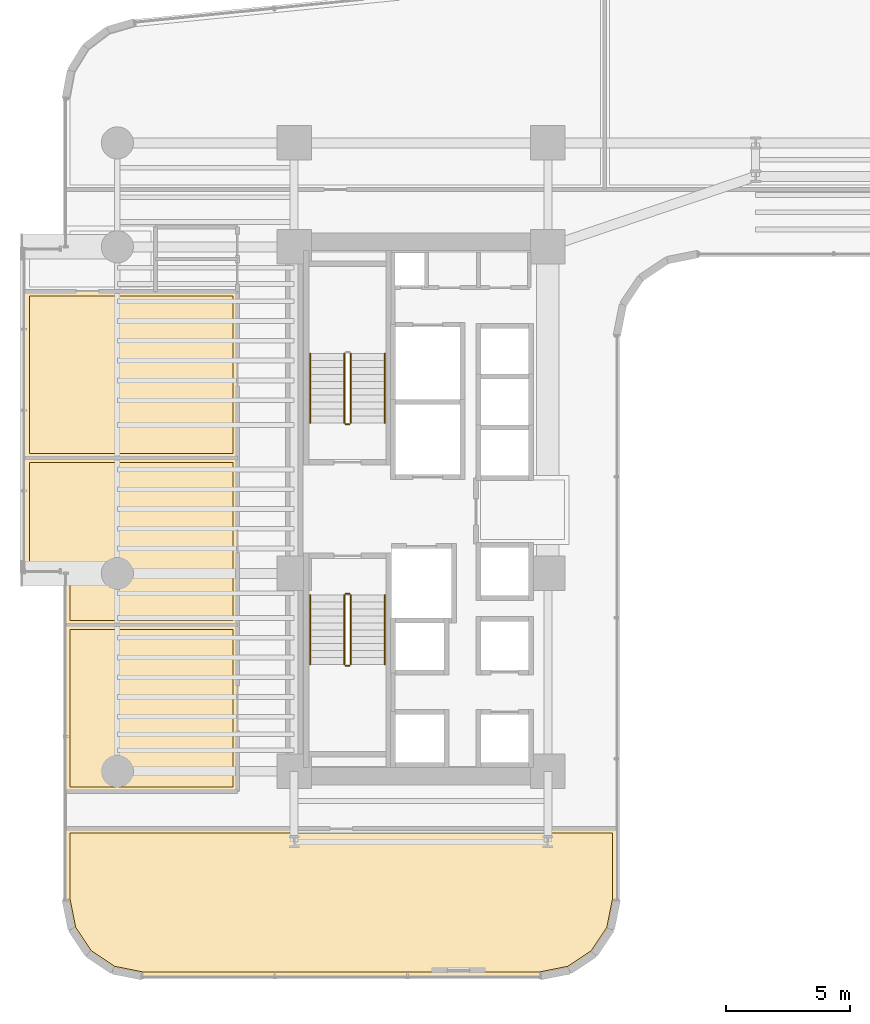
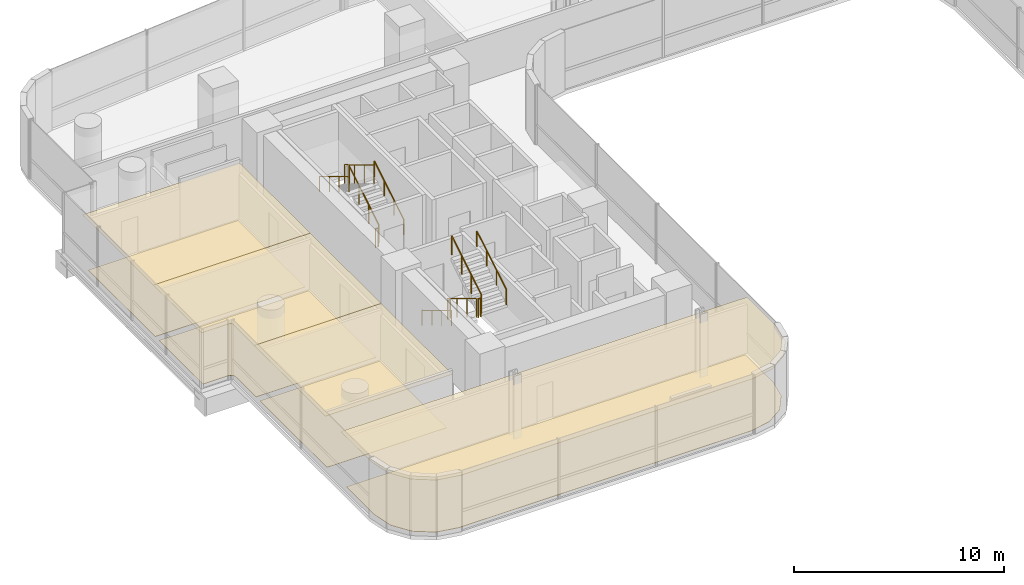
# One storey, part 35 of 39: 11 railings, 8 coverings.
"""IFC4 building model written with IfcOpenShell, lengths in metres."""

from ifc_helpers import new_model, si_unit, direction, frame, origin, origin_2d, place, context, subcontext, project, spatial, polyline, circle, outline, extrude, material, layer, layer_set, type_object, element, save


model = new_model("IFC4")

# Units and contexts
model_context = context("Model", 3, precision=1e-05, world=origin(), true_north=direction((0.0, 1.0)))
body_context = subcontext(model_context, "Body", "Model", "MODEL_VIEW")
ifc_project = project(units=[si_unit("LENGTHUNIT", "METRE"), si_unit("AREAUNIT", "SQUARE_METRE"), si_unit("VOLUMEUNIT", "CUBIC_METRE"), si_unit("PLANEANGLEUNIT", "RADIAN"), si_unit("MASSUNIT", "GRAM", prefix="KILO")], contexts=[model_context])

# Site, building, storey
site_placement = place(None, origin())
site = spatial("IfcSite", under=ifc_project, at=site_placement, CompositionType="ELEMENT")
building_placement = place(site_placement, origin())
building = spatial("IfcBuilding", under=site, at=building_placement, Name="Valdorenza Pilgrim Sanctuary Tower", CompositionType="ELEMENT")
storey_placement = place(building_placement, frame((0.0, 0.0, 70.39990234375)))
storey = spatial("IfcBuildingStorey", under=building, at=storey_placement, Name="L17", CompositionType="ELEMENT", Elevation=70.39990234375)

# Coverings
ifc_material_1 = material(Name="Micro-perforated acoustic mineral ceiling tile", Category="gypsum")
ifc_layer_1 = layer(ifc_material_1, 0.02490234375, Name="Micro-perforated acoustic mineral ceiling tile")
ifc_layer_set_1 = layer_set([ifc_layer_1], Name="Micro-perforated acoustic mineral ceiling tile")
covering_type_1 = type_object("IfcCoveringType", Name="COV-CLG-ACU", PredefinedType="CEILING", material=ifc_layer_set_1)
covering_1_placement = place(storey_placement, frame((0.0, 0.0, 3.16015625)))
element("IfcCovering", 1, at=covering_1_placement, inside=storey, type_object=covering_type_1, Name="L17 Main Pilgrim Dining Restaurant L17 Acoustic Ceiling", PredefinedType="CEILING", context=body_context, shape_type="SweptSolid", body=[
    extrude(outline(polyline([(-24.93505859375, -11.419921875), (-24.93505859375, -11.42138671875), (-24.935302734375, -11.4228515625), (-24.935546875, -11.42431640625), (-24.93603515625, -11.42578125), (-24.936767578125, -11.427001953125), (-24.9375, -11.42822265625), (-24.9384765625, -11.429443359375), (-24.939453125, -11.4306640625), (-24.9404296875, -11.431640625), (-24.941650390625, -11.4326171875), (-24.94287109375, -11.43310546875), (-24.9443359375, -11.433837890625), (-24.945556640625, -11.434326171875), (-24.947021484375, -11.434814453125), (-24.948486328125, -11.434814453125), (-24.949951171875, -11.43505859375), (-31.889892578125, -11.43505859375), (-31.8916015625, -11.434814453125), (-31.892822265625, -11.434814453125), (-31.894287109375, -11.434326171875), (-31.895751953125, -11.433837890625), (-31.897216796875, -11.43310546875), (-31.898193359375, -11.4326171875), (-31.8994140625, -11.431640625), (-31.900634765625, -11.4306640625), (-31.901611328125, -11.429443359375), (-31.902587890625, -11.42822265625), (-31.9033203125, -11.427001953125), (-31.90380859375, -11.42578125), (-31.904296875, -11.42431640625), (-31.90478515625, -11.4228515625), (-31.90478515625, -11.42138671875), (-31.905029296875, -11.419921875), (-31.905029296875, -4.679931640625), (-31.90478515625, -4.678466796875), (-31.90478515625, -4.677001953125), (-31.904296875, -4.675537109375), (-31.90380859375, -4.67431640625), (-31.9033203125, -4.6728515625), (-31.902587890625, -4.671630859375), (-31.901611328125, -4.67041015625), (-31.900634765625, -4.66943359375), (-31.8994140625, -4.66845703125), (-31.898193359375, -4.66748046875), (-31.897216796875, -4.666748046875), (-31.895751953125, -4.666015625), (-31.894287109375, -4.66552734375), (-31.892822265625, -4.665283203125), (-31.8916015625, -4.6650390625), (-31.889892578125, -4.6650390625), (-24.949951171875, -4.6650390625), (-24.948486328125, -4.6650390625), (-24.947021484375, -4.665283203125), (-24.945556640625, -4.66552734375), (-24.9443359375, -4.666015625), (-24.94287109375, -4.666748046875), (-24.941650390625, -4.66748046875), (-24.9404296875, -4.66845703125), (-24.939453125, -4.66943359375), (-24.9384765625, -4.67041015625), (-24.9375, -4.671630859375), (-24.936767578125, -4.6728515625), (-24.93603515625, -4.67431640625), (-24.935546875, -4.675537109375), (-24.935302734375, -4.677001953125), (-24.93505859375, -4.678466796875), (-24.93505859375, -4.679931640625), (-24.93505859375, -11.419921875)])), origin(), (0.0, 0.0, 1.0), 0.02490234375),
])
covering_2_placement = place(storey_placement, frame((0.0, 0.0, 3.16015625)))
element("IfcCovering", 2, at=covering_2_placement, inside=storey, type_object=covering_type_1, Name="L17 Commercial Refectory Kitchen L17 Acoustic Ceiling", PredefinedType="CEILING", context=body_context, shape_type="SweptSolid", body=[
    extrude(outline(polyline([(-24.93505859375, -4.677978515625), (-24.93505859375, -4.679443359375), (-24.935302734375, -4.680908203125), (-24.935546875, -4.682373046875), (-24.93603515625, -4.68359375), (-24.936767578125, -4.68505859375), (-24.9375, -4.686279296875), (-24.9384765625, -4.6875), (-24.939453125, -4.688720703125), (-24.9404296875, -4.689697265625), (-24.941650390625, -4.6904296875), (-24.94287109375, -4.691162109375), (-24.9443359375, -4.69189453125), (-24.945556640625, -4.6923828125), (-24.947021484375, -4.692626953125), (-24.948486328125, -4.69287109375), (-24.949951171875, -4.693115234375), (-31.889892578125, -4.693115234375), (-31.8916015625, -4.69287109375), (-31.892822265625, -4.692626953125), (-31.894287109375, -4.6923828125), (-31.895751953125, -4.69189453125), (-31.897216796875, -4.691162109375), (-31.898193359375, -4.6904296875), (-31.8994140625, -4.689697265625), (-31.900634765625, -4.688720703125), (-31.901611328125, -4.6875), (-31.902587890625, -4.686279296875), (-31.9033203125, -4.68505859375), (-31.90380859375, -4.68359375), (-31.904296875, -4.682373046875), (-31.90478515625, -4.680908203125), (-31.90478515625, -4.679443359375), (-31.905029296875, -4.677978515625), (-31.905029296875, -2.600341796875), (-31.905517578125, -2.5908203125), (-31.90673828125, -2.58154296875), (-31.9091796875, -2.572509765625), (-31.912109375, -2.563720703125), (-31.916259765625, -2.55517578125), (-31.9208984375, -2.547119140625), (-31.926513671875, -2.539794921875), (-31.932861328125, -2.53271484375), (-31.939697265625, -2.526611328125), (-31.947265625, -2.52099609375), (-31.955078125, -2.51611328125), (-31.963623046875, -2.51220703125), (-31.972412109375, -2.509033203125), (-31.9814453125, -2.5068359375), (-31.99072265625, -2.505615234375), (-32.00048828125, -2.5048828125), (-33.5400390625, -2.5048828125), (-33.54150390625, -2.5048828125), (-33.54296875, -2.504638671875), (-33.54443359375, -2.50439453125), (-33.545654296875, -2.50390625), (-33.547119140625, -2.503173828125), (-33.54833984375, -2.50244140625), (-33.549560546875, -2.501708984375), (-33.550537109375, -2.50048828125), (-33.551513671875, -2.49951171875), (-33.552490234375, -2.498291015625), (-33.55322265625, -2.4970703125), (-33.553955078125, -2.49560546875), (-33.554443359375, -2.494384765625), (-33.5546875, -2.492919921875), (-33.554931640625, -2.491455078125), (-33.554931640625, -2.489990234375), (-33.554931640625, 2.06005859375), (-33.554931640625, 2.0615234375), (-33.5546875, 2.06298828125), (-33.554443359375, 2.064453125), (-33.553955078125, 2.065673828125), (-33.55322265625, 2.067138671875), (-33.552490234375, 2.068359375), (-33.551513671875, 2.069580078125), (-33.550537109375, 2.070556640625), (-33.549560546875, 2.071533203125), (-33.54833984375, 2.072509765625), (-33.547119140625, 2.0732421875), (-33.545654296875, 2.073974609375), (-33.54443359375, 2.074462890625), (-33.54296875, 2.07470703125), (-33.54150390625, 2.074951171875), (-33.5400390625, 2.074951171875), (-24.949951171875, 2.074951171875), (-24.948486328125, 2.074951171875), (-24.947021484375, 2.07470703125), (-24.945556640625, 2.074462890625), (-24.9443359375, 2.073974609375), (-24.94287109375, 2.0732421875), (-24.941650390625, 2.072509765625), (-24.9404296875, 2.071533203125), (-24.939453125, 2.070556640625), (-24.9384765625, 2.069580078125), (-24.9375, 2.068359375), (-24.936767578125, 2.067138671875), (-24.93603515625, 2.065673828125), (-24.935546875, 2.064453125), (-24.935302734375, 2.06298828125), (-24.93505859375, 2.0615234375), (-24.93505859375, 2.06005859375), (-24.93505859375, -4.677978515625)])), origin(), (0.0, 0.0, 1.0), 0.02490234375),
])
covering_3_placement = place(storey_placement, frame((0.0, 0.0, 3.16015625)))
element("IfcCovering", 3, at=covering_3_placement, inside=storey, type_object=covering_type_1, Name="L17 Private Banquet Dining Room L17 Acoustic Ceiling", PredefinedType="CEILING", context=body_context, shape_type="SweptSolid", body=[
    extrude(outline(polyline([(-28.253662109375, 8.81298828125), (-28.253173828125, 8.81298828125), (-28.25146484375, 8.813232421875), (-28.25, 8.813232421875), (-28.24853515625, 8.81298828125), (-28.248291015625, 8.81298828125), (-24.949951171875, 8.81298828125), (-24.948486328125, 8.81298828125), (-24.947021484375, 8.812744140625), (-24.945556640625, 8.8125), (-24.9443359375, 8.81201171875), (-24.94287109375, 8.811279296875), (-24.941650390625, 8.810546875), (-24.9404296875, 8.8095703125), (-24.939453125, 8.80859375), (-24.9384765625, 8.8076171875), (-24.9375, 8.806396484375), (-24.936767578125, 8.80517578125), (-24.93603515625, 8.8037109375), (-24.935546875, 8.802490234375), (-24.935302734375, 8.80078125), (-24.93505859375, 8.799560546875), (-24.93505859375, 8.798095703125), (-24.93505859375, 2.06201171875), (-24.93505859375, 2.060546875), (-24.935302734375, 2.05908203125), (-24.935546875, 2.0576171875), (-24.93603515625, 2.056396484375), (-24.936767578125, 2.054931640625), (-24.9375, 2.0537109375), (-24.9384765625, 2.052490234375), (-24.939453125, 2.051513671875), (-24.9404296875, 2.05029296875), (-24.941650390625, 2.049560546875), (-24.94287109375, 2.048828125), (-24.9443359375, 2.048095703125), (-24.945556640625, 2.047607421875), (-24.947021484375, 2.04736328125), (-24.948486328125, 2.047119140625), (-24.949951171875, 2.047119140625), (-33.5400390625, 2.047119140625), (-33.54150390625, 2.047119140625), (-33.54296875, 2.04736328125), (-33.54443359375, 2.047607421875), (-33.545654296875, 2.048095703125), (-33.547119140625, 2.048828125), (-33.54833984375, 2.049560546875), (-33.549560546875, 2.05029296875), (-33.550537109375, 2.051513671875), (-33.551513671875, 2.052490234375), (-33.552490234375, 2.0537109375), (-33.55322265625, 2.054931640625), (-33.553955078125, 2.056396484375), (-33.554443359375, 2.0576171875), (-33.5546875, 2.05908203125), (-33.554931640625, 2.060546875), (-33.554931640625, 2.06201171875), (-33.554931640625, 8.798095703125), (-33.554931640625, 8.799560546875), (-33.5546875, 8.80078125), (-33.554443359375, 8.802490234375), (-33.553955078125, 8.8037109375), (-33.55322265625, 8.80517578125), (-33.552490234375, 8.806396484375), (-33.551513671875, 8.8076171875), (-33.550537109375, 8.80859375), (-33.549560546875, 8.8095703125), (-33.54833984375, 8.810546875), (-33.547119140625, 8.811279296875), (-33.545654296875, 8.81201171875), (-33.54443359375, 8.8125), (-33.54296875, 8.812744140625), (-33.54150390625, 8.81298828125), (-33.5400390625, 8.81298828125), (-28.253662109375, 8.81298828125)])), origin(), (0.0, 0.0, 1.0), 0.02490234375),
])
covering_4_placement = place(storey_placement, frame((0.0, 0.0, 3.16015625)))
element("IfcCovering", 4, at=covering_4_placement, inside=storey, type_object=covering_type_1, Name="L17 Retreat Discussion Room L17-S1 Acoustic Ceiling", PredefinedType="CEILING", context=body_context, shape_type="SweptSolid", body=[
    extrude(outline(polyline([(-9.594970703125, -15.789306640625), (-9.59521484375, -15.79052734375), (-9.59521484375, -15.7919921875), (-9.83251953125, -16.984619140625), (-9.8330078125, -16.986083984375), (-9.83349609375, -16.9873046875), (-9.833984375, -16.98876953125), (-9.834716796875, -16.989990234375), (-10.504150390625, -17.99169921875), (-10.5048828125, -17.992919921875), (-10.506103515625, -17.993896484375), (-10.507080078125, -17.9951171875), (-10.50830078125, -17.995849609375), (-11.510009765625, -18.665283203125), (-11.51123046875, -18.666015625), (-11.5126953125, -18.66650390625), (-11.513916015625, -18.6669921875), (-11.515380859375, -18.66748046875), (-12.7080078125, -18.90478515625), (-12.70947265625, -18.90478515625), (-12.710693359375, -18.905029296875), (-28.789306640625, -18.905029296875), (-28.79052734375, -18.90478515625), (-28.7919921875, -18.90478515625), (-29.984619140625, -18.66748046875), (-29.986083984375, -18.6669921875), (-29.9873046875, -18.66650390625), (-29.98876953125, -18.666015625), (-29.989990234375, -18.665283203125), (-30.99169921875, -17.995849609375), (-30.992919921875, -17.9951171875), (-30.993896484375, -17.993896484375), (-30.9951171875, -17.992919921875), (-30.995849609375, -17.99169921875), (-31.665283203125, -16.989990234375), (-31.666015625, -16.98876953125), (-31.66650390625, -16.9873046875), (-31.6669921875, -16.986083984375), (-31.66748046875, -16.984619140625), (-31.90478515625, -15.7919921875), (-31.90478515625, -15.79052734375), (-31.905029296875, -15.789306640625), (-31.905029296875, -12.919921875), (-31.90478515625, -12.91845703125), (-31.90478515625, -12.9169921875), (-31.904296875, -12.91552734375), (-31.90380859375, -12.914306640625), (-31.9033203125, -12.912841796875), (-31.902587890625, -12.91162109375), (-31.901611328125, -12.910400390625), (-31.900634765625, -12.909423828125), (-31.8994140625, -12.908447265625), (-31.898193359375, -12.907470703125), (-31.897216796875, -12.90673828125), (-31.895751953125, -12.906005859375), (-31.894287109375, -12.905517578125), (-31.892822265625, -12.9052734375), (-31.8916015625, -12.905029296875), (-31.889892578125, -12.905029296875), (-9.610107421875, -12.905029296875), (-9.6083984375, -12.905029296875), (-9.607177734375, -12.9052734375), (-9.605712890625, -12.905517578125), (-9.604248046875, -12.906005859375), (-9.602783203125, -12.90673828125), (-9.601806640625, -12.907470703125), (-9.6005859375, -12.908447265625), (-9.599365234375, -12.909423828125), (-9.598388671875, -12.910400390625), (-9.597412109375, -12.91162109375), (-9.5966796875, -12.912841796875), (-9.59619140625, -12.914306640625), (-9.595703125, -12.91552734375), (-9.59521484375, -12.9169921875), (-9.59521484375, -12.91845703125), (-9.594970703125, -12.919921875), (-9.594970703125, -15.789306640625)])), origin(), (0.0, 0.0, 1.0), 0.02490234375),
])
ifc_material_2 = material(Name="Engineered European oak timber flooring", Category="wood")
ifc_layer_2 = layer(ifc_material_2, 0.02197265625, Name="Engineered European oak timber flooring")
ifc_layer_set_2 = layer_set([ifc_layer_2], Name="Engineered European oak timber flooring")
covering_type_2 = type_object("IfcCoveringType", Name="COV-FLR-OAK", PredefinedType="FLOORING", material=ifc_layer_set_2)
covering_5_placement = place(storey_placement, origin())
element("IfcCovering", 5, at=covering_5_placement, inside=storey, type_object=covering_type_2, Name="L17 Private Banquet Dining Room L17 Flooring", PredefinedType="FLOORING", context=body_context, shape_type="SweptSolid", body=[
    extrude(outline(polyline([(-28.250244140625, 8.617919921875), (-28.25, 8.617919921875), (-25.1298828125, 8.617919921875), (-25.1298828125, 2.241943359375), (-33.360107421875, 2.241943359375), (-33.360107421875, 8.617919921875), (-28.251953125, 8.617919921875), (-28.2509765625, 8.617919921875), (-28.250244140625, 8.617919921875)])), origin(), (0.0, 0.0, 1.0), 0.025146484375),
])
covering_6_placement = place(storey_placement, origin())
element("IfcCovering", 6, at=covering_6_placement, inside=storey, type_object=covering_type_2, Name="L17 Retreat Discussion Room L17-S1 Flooring", PredefinedType="FLOORING", context=body_context, shape_type="SweptSolid", body=[
    extrude(outline(polyline([(-9.7900390625, -15.771484375), (-10.016845703125, -16.911376953125), (-10.646484375, -17.853515625), (-11.588623046875, -18.483154296875), (-12.728515625, -18.7099609375), (-28.771484375, -18.7099609375), (-29.911376953125, -18.483154296875), (-30.853515625, -17.853515625), (-31.483154296875, -16.911376953125), (-31.7099609375, -15.771484375), (-31.7099609375, -13.10009765625), (-9.7900390625, -13.10009765625), (-9.7900390625, -15.771484375)])), origin(), (0.0, 0.0, 1.0), 0.025146484375),
])
ifc_material_3 = material(Name="Honed travertine stone flooring", Category="masonry")
ifc_layer_3 = layer(ifc_material_3, 0.030029296875, Name="Honed travertine stone flooring")
ifc_layer_set_3 = layer_set([ifc_layer_3], Name="Honed travertine stone flooring")
covering_type_3 = type_object("IfcCoveringType", Name="COV-FLR-TRV", PredefinedType="FLOORING", material=ifc_layer_set_3)
covering_7_placement = place(storey_placement, origin())
element("IfcCovering", 7, at=covering_7_placement, inside=storey, type_object=covering_type_3, Name="L17 Main Pilgrim Dining Restaurant L17 Flooring", PredefinedType="FLOORING", context=body_context, shape_type="SweptSolid", body=[
    extrude(outline(polyline([(-25.1298828125, -11.239990234375), (-31.7099609375, -11.239990234375), (-31.7099609375, -4.860107421875), (-25.1298828125, -4.860107421875), (-25.1298828125, -11.239990234375)])), origin(), (0.0, 0.0, 1.0), 0.025146484375),
])
covering_8_placement = place(storey_placement, origin())
element("IfcCovering", 8, at=covering_8_placement, inside=storey, type_object=covering_type_3, Name="L17 Commercial Refectory Kitchen L17 Flooring", PredefinedType="FLOORING", context=body_context, shape_type="SweptSolid", body=[
    extrude(outline(polyline([(-25.1298828125, -4.498046875), (-31.7099609375, -4.498046875), (-31.7099609375, -2.60009765625), (-31.710205078125, -2.59130859375), (-31.710693359375, -2.580322265625), (-31.71240234375, -2.562744140625), (-31.714111328125, -2.552001953125), (-31.717529296875, -2.534912109375), (-31.72021484375, -2.5244140625), (-31.725341796875, -2.50732421875), (-31.72900390625, -2.497314453125), (-31.735595703125, -2.48095703125), (-31.740234375, -2.47119140625), (-31.74853515625, -2.45556640625), (-31.754150390625, -2.4462890625), (-31.763916015625, -2.431640625), (-31.7705078125, -2.423095703125), (-31.781494140625, -2.4091796875), (-31.788818359375, -2.4013671875), (-31.80126953125, -2.388916015625), (-31.809326171875, -2.381591796875), (-31.822998046875, -2.370361328125), (-31.831787109375, -2.364013671875), (-31.84619140625, -2.35400390625), (-31.855712890625, -2.3486328125), (-31.87109375, -2.34033203125), (-31.880859375, -2.335693359375), (-31.897216796875, -2.328857421875), (-31.907470703125, -2.3251953125), (-31.92431640625, -2.320068359375), (-31.934814453125, -2.3173828125), (-31.9521484375, -2.314208984375), (-31.962890625, -2.3125), (-31.98046875, -2.310791015625), (-31.9912109375, -2.310302734375), (-32.0, -2.31005859375), (-33.360107421875, -2.31005859375), (-33.360107421875, 1.8798828125), (-25.1298828125, 1.8798828125), (-25.1298828125, -4.498046875)])), origin(), (0.0, 0.0, 1.0), 0.025146484375),
])

# Railings
ifc_material_4 = material(Name="Stainless steel Grade 316", Category="steel")
railing_type_1 = type_object("IfcRailingType", Name="RLG-GRD-1120", PredefinedType="GUARDRAIL", material=ifc_material_4)
railing_1_placement = place(storey_placement, frame((-20.3701171875, 3.47998046875, 0.168212890625)))
element("IfcRailing", 9, at=railing_1_placement, inside=storey, type_object=railing_type_1, Name="L17 ST-A1 stair guard 1", PredefinedType="GUARDRAIL", context=body_context, shape_type="SweptSolid", body=[
    extrude(circle(Radius=0.02392578125, at=origin_2d()), frame((0.0, 0.0, 1.076171875), z_axis=(0.0, 0.857242210791, 0.514913383045), x_axis=(-1.0, 0.0, 0.0)), (0.0, 0.0, 1.0), 3.266357421875),
    extrude(circle(Radius=0.02099609375, at=origin_2d()), origin(), (0.0, 0.0, 1.0), 1.052001953125),
    extrude(circle(Radius=0.02099609375, at=origin_2d()), frame((0.0, 0.933349609375, 0.560546875)), (0.0, 0.0, 1.0), 1.052001953125),
    extrude(circle(Radius=0.02099609375, at=origin_2d()), frame((0.0, 1.86669921875, 1.121337890625)), (0.0, 0.0, 1.0), 1.052001953125),
    extrude(circle(Radius=0.02099609375, at=origin_2d()), frame((0.0, 2.800048828125, 1.681884765625)), (0.0, 0.0, 1.0), 1.052001953125),
])
railing_2_placement = place(storey_placement, frame((-20.6201171875, 6.280029296875, 2.018310546875)))
element("IfcRailing", 10, at=railing_2_placement, inside=storey, type_object=railing_type_1, Name="L17 ST-A1 stair guard 3", PredefinedType="GUARDRAIL", context=body_context, shape_type="SweptSolid", body=[
    extrude(circle(Radius=0.02392578125, at=origin_2d()), frame((0.0, 0.0, 1.076171875), z_axis=(0.0, -0.857242210791, 0.514913383045), x_axis=(1.0, 0.0, 0.0)), (0.0, 0.0, 1.0), 3.266357421875),
    extrude(circle(Radius=0.02099609375, at=origin_2d()), origin(), (0.0, 0.0, 1.0), 1.052001953125),
    extrude(circle(Radius=0.02099609375, at=origin_2d()), frame((0.0, -0.933349609375, 0.560546875)), (0.0, 0.0, 1.0), 1.052001953125),
    extrude(circle(Radius=0.02099609375, at=origin_2d()), frame((0.0, -1.86669921875, 1.121337890625)), (0.0, 0.0, 1.0), 1.052001953125),
    extrude(circle(Radius=0.02099609375, at=origin_2d()), frame((0.0, -2.800048828125, 1.681884765625)), (0.0, 0.0, 1.0), 1.052001953125),
])
railing_3_placement = place(storey_placement, frame((-20.419921875, 3.429931640625, 0.0)))
element("IfcRailing", 11, at=railing_3_placement, inside=storey, type_object=railing_type_1, Name="L17 ST-A1 stair guard 4", PredefinedType="GUARDRAIL", context=body_context, shape_type="SweptSolid", body=[
    extrude(circle(Radius=0.02392578125, at=origin_2d()), frame((0.0, 0.0, 1.076171875), z_axis=(-1.0, 0.0, 0.0), x_axis=(0.0, -1.0, 0.0)), (0.0, 0.0, 1.0), 0.150146484375),
    extrude(circle(Radius=0.02099609375, at=origin_2d()), origin(), (0.0, 0.0, 1.0), 1.052001953125),
    extrude(circle(Radius=0.02099609375, at=origin_2d()), frame((-0.150146484375, 0.0, 0.0)), (0.0, 0.0, 1.0), 1.052001953125),
])
railing_4_placement = place(storey_placement, frame((-20.6201171875, -3.47998046875, 0.168212890625)))
element("IfcRailing", 12, at=railing_4_placement, inside=storey, type_object=railing_type_1, Name="L17 ST-A2 stair guard 1", PredefinedType="GUARDRAIL", context=body_context, shape_type="SweptSolid", body=[
    extrude(circle(Radius=0.02392578125, at=origin_2d()), frame((0.0, 0.0, 1.076171875), z_axis=(0.0, -0.857242210791, 0.514913383045), x_axis=(1.0, 0.0, 0.0)), (0.0, 0.0, 1.0), 3.266357421875),
    extrude(circle(Radius=0.02099609375, at=origin_2d()), origin(), (0.0, 0.0, 1.0), 1.052001953125),
    extrude(circle(Radius=0.02099609375, at=origin_2d()), frame((0.0, -0.933349609375, 0.560546875)), (0.0, 0.0, 1.0), 1.052001953125),
    extrude(circle(Radius=0.02099609375, at=origin_2d()), frame((0.0, -1.86669921875, 1.121337890625)), (0.0, 0.0, 1.0), 1.052001953125),
    extrude(circle(Radius=0.02099609375, at=origin_2d()), frame((0.0, -2.800048828125, 1.681884765625)), (0.0, 0.0, 1.0), 1.052001953125),
])
railing_5_placement = place(storey_placement, frame((-20.570068359375, -6.330078125, 1.85009765625)))
element("IfcRailing", 13, at=railing_5_placement, inside=storey, type_object=railing_type_1, Name="L17 ST-A2 stair guard 2", PredefinedType="GUARDRAIL", context=body_context, shape_type="SweptSolid", body=[
    extrude(circle(Radius=0.02392578125, at=origin_2d()), frame((0.0, 0.0, 1.076171875), z_axis=(1.0, 0.0, 0.0), x_axis=(0.0, 1.0, 0.0)), (0.0, 0.0, 1.0), 0.150146484375),
    extrude(circle(Radius=0.02099609375, at=origin_2d()), origin(), (0.0, 0.0, 1.0), 1.052001953125),
    extrude(circle(Radius=0.02099609375, at=origin_2d()), frame((0.150146484375, 0.0, 0.0)), (0.0, 0.0, 1.0), 1.052001953125),
])
railing_6_placement = place(storey_placement, frame((-20.3701171875, -6.280029296875, 2.018310546875)))
element("IfcRailing", 14, at=railing_6_placement, inside=storey, type_object=railing_type_1, Name="L17 ST-A2 stair guard 3", PredefinedType="GUARDRAIL", context=body_context, shape_type="SweptSolid", body=[
    extrude(circle(Radius=0.02392578125, at=origin_2d()), frame((0.0, 0.0, 1.076171875), z_axis=(0.0, 0.857242210791, 0.514913383045), x_axis=(-1.0, 0.0, 0.0)), (0.0, 0.0, 1.0), 3.266357421875),
    extrude(circle(Radius=0.02099609375, at=origin_2d()), origin(), (0.0, 0.0, 1.0), 1.052001953125),
    extrude(circle(Radius=0.02099609375, at=origin_2d()), frame((0.0, 0.933349609375, 0.560546875)), (0.0, 0.0, 1.0), 1.052001953125),
    extrude(circle(Radius=0.02099609375, at=origin_2d()), frame((0.0, 1.86669921875, 1.121337890625)), (0.0, 0.0, 1.0), 1.052001953125),
    extrude(circle(Radius=0.02099609375, at=origin_2d()), frame((0.0, 2.800048828125, 1.681884765625)), (0.0, 0.0, 1.0), 1.052001953125),
])
railing_7_placement = place(storey_placement, frame((-20.570068359375, -3.429931640625, 0.0)))
element("IfcRailing", 15, at=railing_7_placement, inside=storey, type_object=railing_type_1, Name="L17 ST-A2 stair guard 4", PredefinedType="GUARDRAIL", context=body_context, shape_type="SweptSolid", body=[
    extrude(circle(Radius=0.02392578125, at=origin_2d()), frame((0.0, 0.0, 1.076171875), z_axis=(1.0, 0.0, 0.0), x_axis=(0.0, 1.0, 0.0)), (0.0, 0.0, 1.0), 0.150146484375),
    extrude(circle(Radius=0.02099609375, at=origin_2d()), origin(), (0.0, 0.0, 1.0), 1.052001953125),
    extrude(circle(Radius=0.02099609375, at=origin_2d()), frame((0.150146484375, 0.0, 0.0)), (0.0, 0.0, 1.0), 1.052001953125),
])
ifc_material_5 = material(Name="Brushed stainless steel Grade 316", Category="steel")
railing_type_2 = type_object("IfcRailingType", Name="RLG-HND-920", PredefinedType="HANDRAIL", material=ifc_material_5)
railing_8_placement = place(storey_placement, frame((-18.989990234375, 3.47998046875, 0.168212890625)))
element("IfcRailing", 16, at=railing_8_placement, inside=storey, type_object=railing_type_2, Name="L17 ST-A1 stair handrail 1", PredefinedType="HANDRAIL", context=body_context, shape_type="SweptSolid", body=[
    extrude(circle(Radius=0.02392578125, at=origin_2d()), frame((0.0, 0.0, 0.8759765625), z_axis=(0.0, 0.857242210791, 0.514913383045), x_axis=(-1.0, 0.0, 0.0)), (0.0, 0.0, 1.0), 3.266357421875),
    extrude(circle(Radius=0.02099609375, at=origin_2d()), origin(), (0.0, 0.0, 1.0), 0.851806640625),
    extrude(circle(Radius=0.02099609375, at=origin_2d()), frame((0.0, 0.933349609375, 0.560546875)), (0.0, 0.0, 1.0), 0.851806640625),
    extrude(circle(Radius=0.02099609375, at=origin_2d()), frame((0.0, 1.86669921875, 1.121337890625)), (0.0, 0.0, 1.0), 0.851806640625),
    extrude(circle(Radius=0.02099609375, at=origin_2d()), frame((0.0, 2.800048828125, 1.681884765625)), (0.0, 0.0, 1.0), 0.851806640625),
])
for number, where, name in (
    (17, (-22.0, 6.280029296875, 2.018310546875), "L17 ST-A1 stair handrail 2"),
    (18, (-22.0, -3.47998046875, 0.168212890625), "L17 ST-A2 stair handrail 1"),
):
    element("IfcRailing", number, at=place(storey_placement, frame(where)), inside=storey, type_object=railing_type_2, Name=name, PredefinedType="HANDRAIL", context=body_context, shape_type="SweptSolid", body=[
        extrude(circle(Radius=0.02392578125, at=origin_2d()), frame((0.0, 0.0, 0.8759765625), z_axis=(0.0, -0.857242210791, 0.514913383045), x_axis=(1.0, 0.0, 0.0)), (0.0, 0.0, 1.0), 3.266357421875),
        extrude(circle(Radius=0.02099609375, at=origin_2d()), origin(), (0.0, 0.0, 1.0), 0.851806640625),
        extrude(circle(Radius=0.02099609375, at=origin_2d()), frame((0.0, -0.933349609375, 0.560546875)), (0.0, 0.0, 1.0), 0.851806640625),
        extrude(circle(Radius=0.02099609375, at=origin_2d()), frame((0.0, -1.86669921875, 1.121337890625)), (0.0, 0.0, 1.0), 0.851806640625),
        extrude(circle(Radius=0.02099609375, at=origin_2d()), frame((0.0, -2.800048828125, 1.681884765625)), (0.0, 0.0, 1.0), 0.851806640625),
    ])
railing_9_placement = place(storey_placement, frame((-18.989990234375, -6.280029296875, 2.018310546875)))
element("IfcRailing", 19, at=railing_9_placement, inside=storey, type_object=railing_type_2, Name="L17 ST-A2 stair handrail 2", PredefinedType="HANDRAIL", context=body_context, shape_type="SweptSolid", body=[
    extrude(circle(Radius=0.02392578125, at=origin_2d()), frame((0.0, 0.0, 0.8759765625), z_axis=(0.0, 0.857242210791, 0.514913383045), x_axis=(-1.0, 0.0, 0.0)), (0.0, 0.0, 1.0), 3.266357421875),
    extrude(circle(Radius=0.02099609375, at=origin_2d()), origin(), (0.0, 0.0, 1.0), 0.851806640625),
    extrude(circle(Radius=0.02099609375, at=origin_2d()), frame((0.0, 0.933349609375, 0.560546875)), (0.0, 0.0, 1.0), 0.851806640625),
    extrude(circle(Radius=0.02099609375, at=origin_2d()), frame((0.0, 1.86669921875, 1.121337890625)), (0.0, 0.0, 1.0), 0.851806640625),
    extrude(circle(Radius=0.02099609375, at=origin_2d()), frame((0.0, 2.800048828125, 1.681884765625)), (0.0, 0.0, 1.0), 0.851806640625),
])

save(model, "model.ifc")
